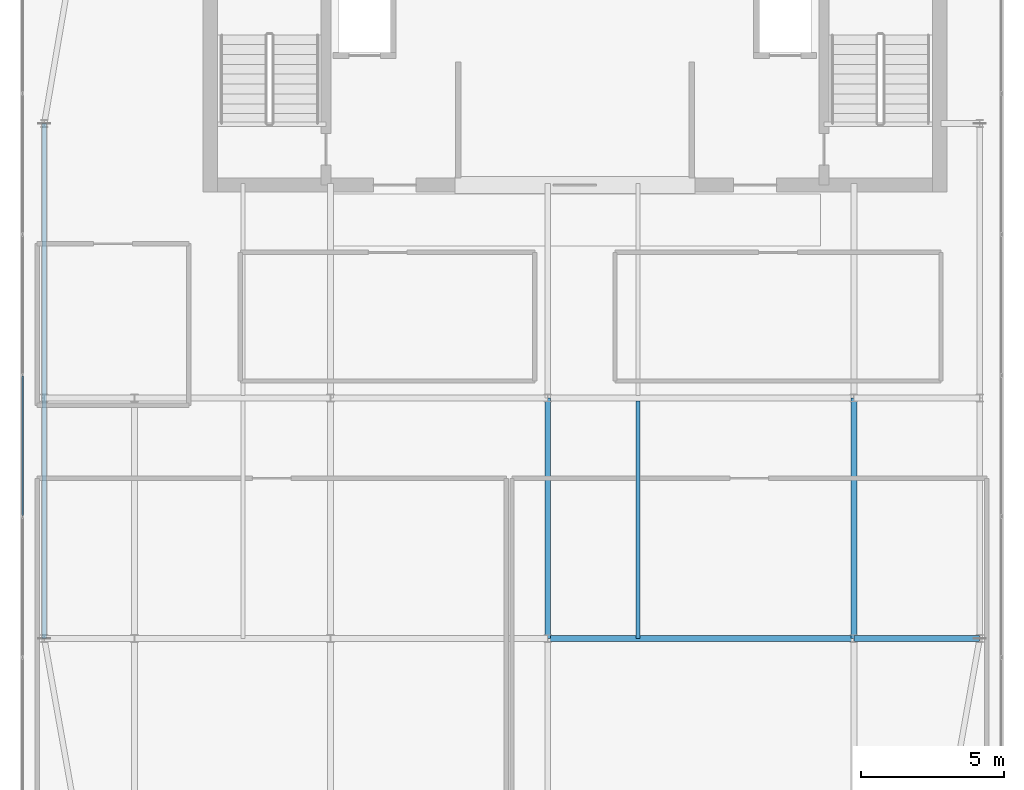
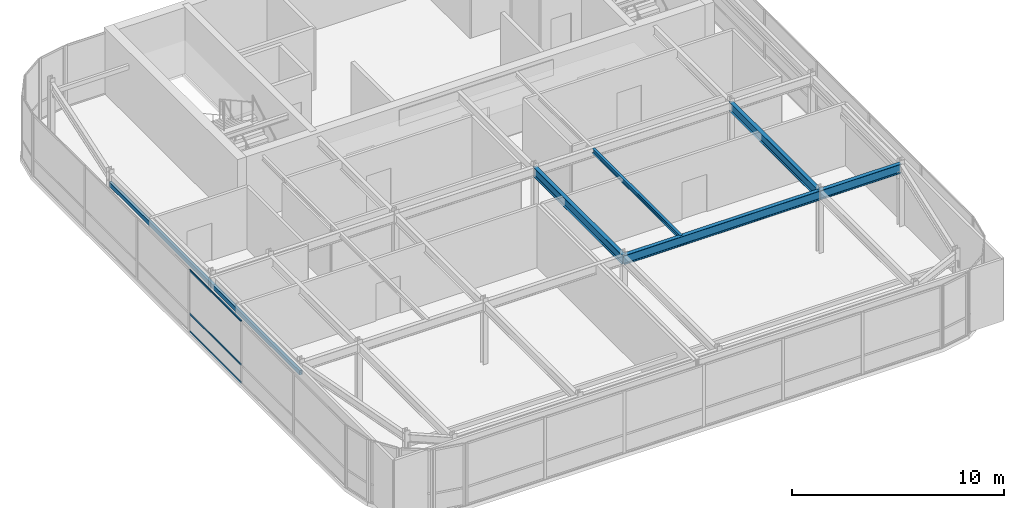
# One storey, part 15 of 36: 5 beams, 4 members, 1 element without a shape of its own.
"""IFC4 building model written with IfcOpenShell, lengths in metres."""

from ifc_helpers import new_model, si_unit, direction, frame, origin, origin_2d, place, context, subcontext, project, spatial, hollow_rectangle, i_section, extrude, source, transform, mapped, material, layer, layer_set, material_profile, profile_set, type_object, type_shapes, element, aggregate, save


model = new_model("IFC4")

# Units and contexts
model_context = context("Model", 3, precision=1e-05, world=origin(), true_north=direction((0.0, 1.0)))
body_context = subcontext(model_context, "Body", "Model", "MODEL_VIEW")
ifc_project = project(units=[si_unit("LENGTHUNIT", "METRE"), si_unit("AREAUNIT", "SQUARE_METRE"), si_unit("VOLUMEUNIT", "CUBIC_METRE"), si_unit("PLANEANGLEUNIT", "RADIAN"), si_unit("MASSUNIT", "GRAM", prefix="KILO")], contexts=[model_context])

# Site, building, storey
site_placement = place(None, origin())
site = spatial("IfcSite", under=ifc_project, at=site_placement, CompositionType="ELEMENT")
building_placement = place(site_placement, origin())
building = spatial("IfcBuilding", under=site, at=building_placement, Name="Tolvann Quenvar Hotel", CompositionType="ELEMENT")
storey_placement = place(building_placement, frame((0.0, 0.0, 298.550048828125)))
storey = spatial("IfcBuildingStorey", under=building, at=storey_placement, Name="L79", CompositionType="ELEMENT", Elevation=298.550048828125)

# Beams
ifc_material_1 = material(Name="Steel Grade 350", Category="steel")
ifc_material_profile_1 = material_profile(ifc_material_1, i_section(OverallWidth=0.208984375, OverallDepth=0.532958984375, WebThickness=0.01025390625, FlangeThickness=0.015625, FilletRadius=0.013916015625, at=origin_2d()), Name="530UB92")
ifc_profile_set_1 = profile_set([ifc_material_profile_1], Name="Steel Grade 350")
beam_type_1 = type_object("IfcBeamType", Name="BM_GIRD_530UB92", PredefinedType="BEAM", material=ifc_profile_set_1)
shared_shape_1 = source(origin(), body_context, "Body", "SweptSolid", [
    extrude(i_section(OverallWidth=0.208984375, OverallDepth=0.532958984375, WebThickness=0.01025390625, FlangeThickness=0.015625, FilletRadius=0.013916015625, at=origin_2d()), origin(), (0.0, 0.0, 1.0), 8.39990234375),
])
for number, where, z_axis, x_axis, name in (
    (1, (22.050048828125, 16.0, 3.3134765625), (0.0, 1.0, 0.0), (-1.0, 0.0, 0.0), "BM-L79-NS-E4-E5"),
    (2, (32.75, 16.0, 3.3134765625), (0.0, 1.0, 0.0), (-1.0, 0.0, 0.0), "BM-L79-NS-FP4-FP5"),
):
    element("IfcBeam", number, at=place(storey_placement, frame(where, z_axis=z_axis, x_axis=x_axis)), inside=storey, type_object=beam_type_1, Name=name, PredefinedType="BEAM", context=body_context, shape_type="MappedRepresentation", body=[
        mapped(shared_shape_1, transform((0.0, 0.0, 0.0), x_axis=(1.0, 0.0, 0.0), y_axis=(0.0, 1.0, 0.0), z_axis=(0.0, 0.0, 1.0), scale=1.0)),
    ])
shared_shape_2 = source(origin(), body_context, "Body", "SweptSolid", [
    extrude(i_section(OverallWidth=0.208984375, OverallDepth=0.532958984375, WebThickness=0.01025390625, FlangeThickness=0.015625, FilletRadius=0.013916015625, at=origin_2d()), origin(), (0.0, 0.0, 1.0), 10.699951171875),
])
beam_1_placement = place(storey_placement, frame((22.050048828125, 16.0, 3.3134765625), z_axis=(1.0, 0.0, 0.0), x_axis=(0.0, 1.0, 0.0)))
element("IfcBeam", 3, at=beam_1_placement, inside=storey, type_object=beam_type_1, Name="BM-L79-EW-4-E4-FP4", PredefinedType="BEAM", context=body_context, shape_type="MappedRepresentation", body=[
    mapped(shared_shape_2, transform((0.0, 0.0, 0.0), x_axis=(1.0, 0.0, 0.0), y_axis=(0.0, 1.0, 0.0), z_axis=(0.0, 0.0, 1.0), scale=1.0)),
])

# Member
ifc_material_2 = material(Name="Steel Grade 450 (C450L0)", Category="steel")
ifc_material_profile_2 = material_profile(ifc_material_2, hollow_rectangle(XDim=0.14990234375, YDim=0.25, WallThickness=0.009033203125, at=origin_2d()), Name="250x150x9RHS")
ifc_profile_set_2 = profile_set([ifc_material_profile_2], Name="Steel Grade 450 (C450L0)")
member_type_1 = type_object("IfcMemberType", Name="MEM_CROWN_250RHS", PredefinedType="USERDEFINED", material=ifc_profile_set_2)
shared_shape_3 = source(origin(), body_context, "Body", "SweptSolid", [
    extrude(hollow_rectangle(XDim=0.14990234375, YDim=0.25, WallThickness=0.009033203125, at=origin_2d()), origin(), (0.0, 0.0, 1.0), 18.0),
])
type_shapes(member_type_1, [shared_shape_3])
member_1_placement = place(storey_placement, frame((4.449951171875, 16.0, 2.929931640625), z_axis=(0.0, 1.0, 0.0), x_axis=(-1.0, 0.0, 0.0)))
element("IfcMember", 4, at=member_1_placement, inside=storey, type_object=member_type_1, Name="Crown Frame Ring Member (L79-2)", ObjectType="CROWN FRAME", PredefinedType="USERDEFINED", context=body_context, shape_type="MappedRepresentation", body=[
    mapped(shared_shape_3, transform((0.0, 0.0, 0.0), x_axis=(1.0, 0.0, 0.0), y_axis=(0.0, 1.0, 0.0), z_axis=(0.0, 0.0, 1.0), scale=1.0)),
])

# Beams
shared_shape_4 = source(origin(), body_context, "Body", "SweptSolid", [
    extrude(i_section(OverallWidth=0.208984375, OverallDepth=0.532958984375, WebThickness=0.01025390625, FlangeThickness=0.015625, FilletRadius=0.013916015625, at=origin_2d()), origin(), (0.0, 0.0, 1.0), 4.39990234375),
])
type_shapes(beam_type_1, [shared_shape_1, shared_shape_2, shared_shape_4])
beam_2_placement = place(storey_placement, frame((32.75, 16.0, 3.3134765625), z_axis=(1.0, 0.0, 0.0), x_axis=(0.0, 1.0, 0.0)))
element("IfcBeam", 5, at=beam_2_placement, inside=storey, type_object=beam_type_1, Name="BM-L79-EW-4-FP4-G4", PredefinedType="BEAM", context=body_context, shape_type="MappedRepresentation", body=[
    mapped(shared_shape_4, transform((0.0, 0.0, 0.0), x_axis=(1.0, 0.0, 0.0), y_axis=(0.0, 1.0, 0.0), z_axis=(0.0, 0.0, 1.0), scale=1.0)),
])
ifc_material_profile_3 = material_profile(ifc_material_1, i_section(OverallWidth=0.14599609375, OverallDepth=0.256103515625, WebThickness=0.00634765625, FlangeThickness=0.010986328125, FilletRadius=0.0087890625, at=origin_2d()), Name="250UB37")
ifc_profile_set_3 = profile_set([ifc_material_profile_3], Name="Steel Grade 350")
beam_type_2 = type_object("IfcBeamType", Name="BM_JOIST_250UB37", PredefinedType="JOIST", material=ifc_profile_set_3)
shared_shape_5 = source(origin(), body_context, "Body", "SweptSolid", [
    extrude(i_section(OverallWidth=0.14599609375, OverallDepth=0.256103515625, WebThickness=0.00634765625, FlangeThickness=0.010986328125, FilletRadius=0.0087890625, at=origin_2d()), origin(), (0.0, 0.0, 1.0), 8.301513671875),
])
type_shapes(beam_type_2, [shared_shape_5])
beam_3_placement = place(storey_placement, frame((25.199951171875, 16.0, 3.451904296875), z_axis=(0.0, 1.0, 0.0), x_axis=(-1.0, 0.0, 0.0)))
element("IfcBeam", 6, at=beam_3_placement, inside=storey, type_object=beam_type_2, Name="BJ-L79-252-160", PredefinedType="JOIST", context=body_context, shape_type="MappedRepresentation", body=[
    mapped(shared_shape_5, transform((0.0, 0.0, 0.0), x_axis=(1.0, 0.0, 0.0), y_axis=(0.0, 1.0, 0.0), z_axis=(0.0, 0.0, 1.0), scale=1.0)),
])

# Curtain wall, members
ifc_material_3 = material(Name="Thermally broken anodised architectural aluminium 6063-T6 and laminated low-E glass", Category="aluminium")
ifc_layer = layer(ifc_material_3, 0.179931640625)
ifc_layer_set = layer_set([ifc_layer], Name="Thermally broken anodised architectural aluminium 6063-T6 and laminated low-E glass")
curtain_wall_type = type_object("IfcCurtainWallType", Name="CW_SYS_LANT_06", PredefinedType="USERDEFINED", material=ifc_layer_set)
curtain_wall_placement = place(storey_placement, origin())
curtain_wall = element("IfcCurtainWall", 7, at=curtain_wall_placement, inside=storey, type_object=curtain_wall_type, Name="Curtain Wall CW-LANT-06 (CWR-L79-E19)", ObjectType="UNITISED CURTAIN WALL", PredefinedType="USERDEFINED")
ifc_material_4 = material(Name="Anodised architectural aluminium 6063-T6 framing", Category="aluminium")
ifc_material_profile_4 = material_profile(ifc_material_4, hollow_rectangle(XDim=0.050048828125, YDim=0.10009765625, WallThickness=0.0029296875, at=origin_2d()), Name="100x50x3RHS")
ifc_profile_set_4 = profile_set([ifc_material_profile_4], Name="Anodised architectural aluminium 6063-T6 framing")
member_type_2 = type_object("IfcMemberType", Name="CW_TRAN_100x50", PredefinedType="USERDEFINED", material=ifc_profile_set_4)
shared_shape_6 = source(origin(), body_context, "Body", "SweptSolid", [
    extrude(hollow_rectangle(XDim=0.050048828125, YDim=0.10009765625, WallThickness=0.0029296875, at=origin_2d()), origin(), (0.0, 0.0, 1.0), 4.862548828125),
])
type_shapes(member_type_2, [shared_shape_6])
member_2_placement = place(storey_placement, frame((3.68994140625, 25.16748046875, 0.02490234375), z_axis=(0.0, -1.0, 0.0), x_axis=(1.0, 0.0, 0.0)))
member_2 = element("IfcMember", 8, at=member_2_placement, type_object=member_type_2, Name="CW-LANT-06 transom 4.1", ObjectType="TRANSOM", PredefinedType="USERDEFINED", context=body_context, shape_type="MappedRepresentation", body=[
    mapped(shared_shape_6, transform((0.0, 0.0, 0.0), x_axis=(1.0, 0.0, 0.0), y_axis=(0.0, 1.0, 0.0), z_axis=(0.0, 0.0, 1.0), scale=1.0)),
])
member_3_placement = place(storey_placement, frame((3.68994140625, 25.16748046875, 1.050048828125), z_axis=(0.0, -1.0, 0.0), x_axis=(1.0, 0.0, 0.0)))
member_3 = element("IfcMember", 9, at=member_3_placement, type_object=member_type_2, Name="CW-LANT-06 transom 4.2", ObjectType="TRANSOM", PredefinedType="USERDEFINED", context=body_context, shape_type="MappedRepresentation", body=[
    mapped(shared_shape_6, transform((0.0, 0.0, 0.0), x_axis=(1.0, 0.0, 0.0), y_axis=(0.0, 1.0, 0.0), z_axis=(0.0, 0.0, 1.0), scale=1.0)),
])
member_4_placement = place(storey_placement, frame((3.68994140625, 25.16748046875, 3.554931640625), z_axis=(0.0, -1.0, 0.0), x_axis=(1.0, 0.0, 0.0)))
member_4 = element("IfcMember", 10, at=member_4_placement, type_object=member_type_2, Name="CW-LANT-06 transom 4.3", ObjectType="TRANSOM", PredefinedType="USERDEFINED", context=body_context, shape_type="MappedRepresentation", body=[
    mapped(shared_shape_6, transform((0.0, 0.0, 0.0), x_axis=(1.0, 0.0, 0.0), y_axis=(0.0, 1.0, 0.0), z_axis=(0.0, 0.0, 1.0), scale=1.0)),
])
aggregate(curtain_wall, [member_2, member_3, member_4])

save(model, "model.ifc")
